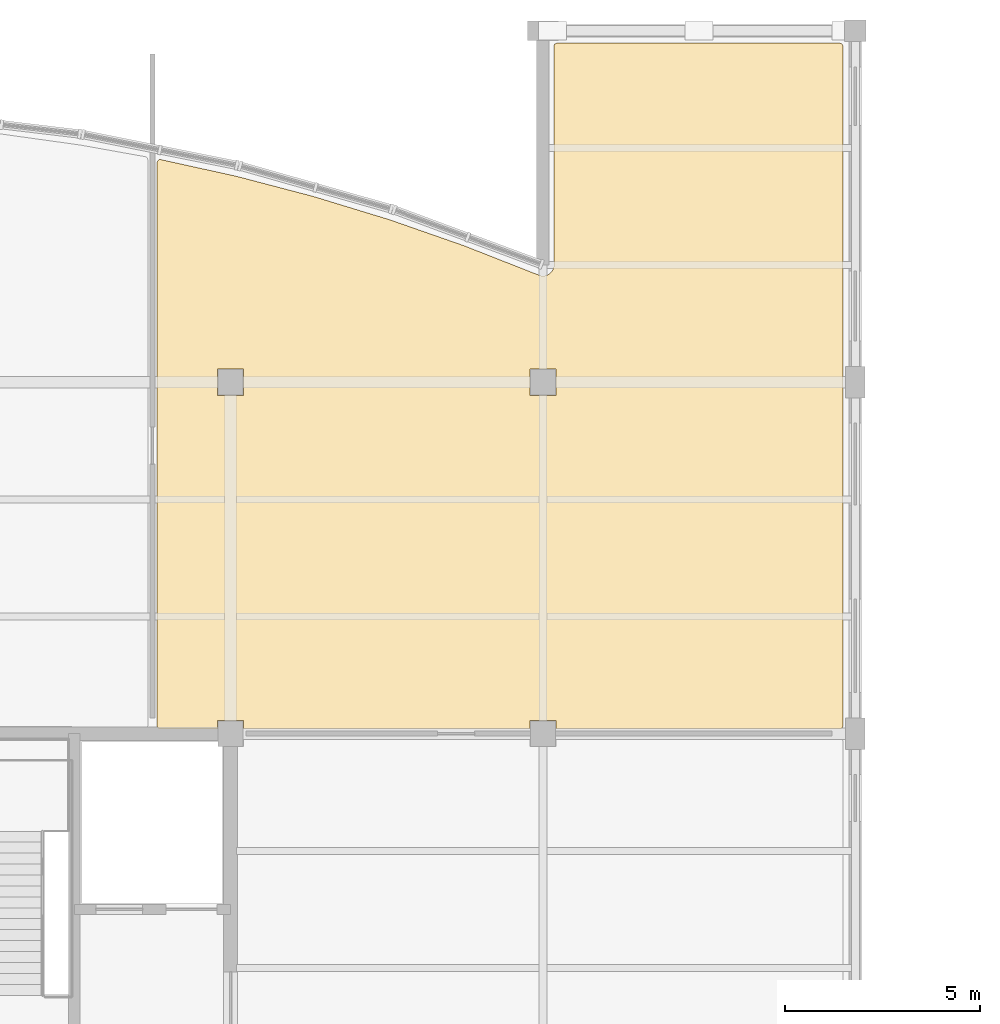
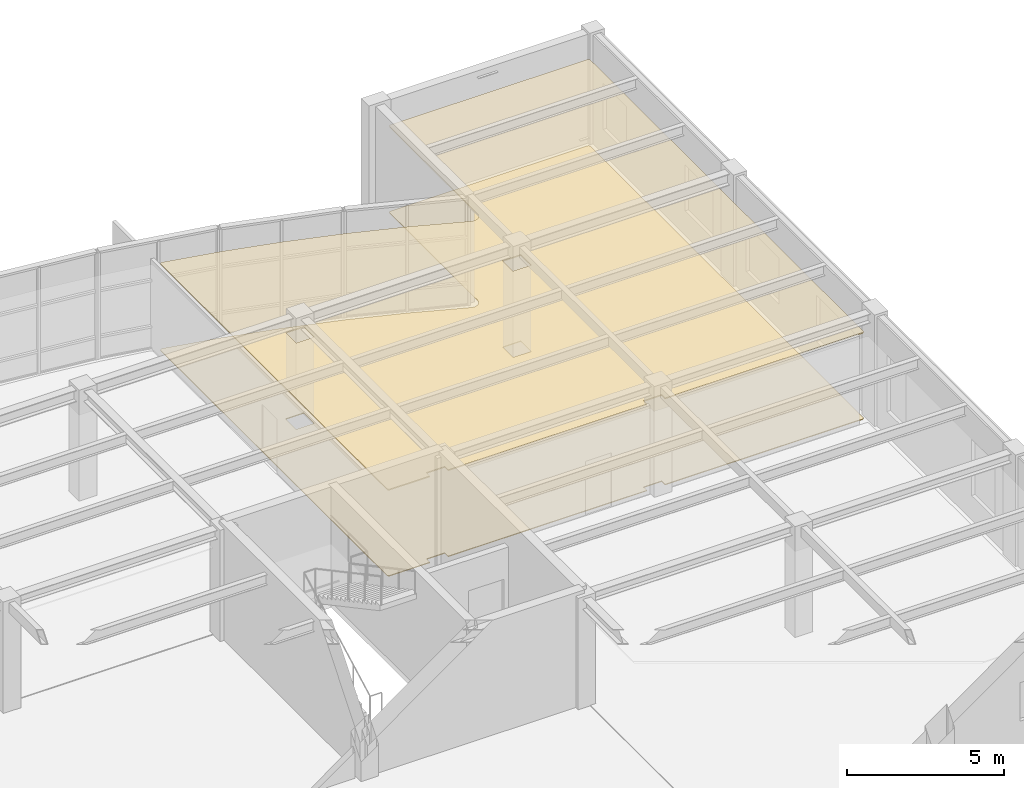
# One storey, part 16 of 16: 2 coverings.
"""IFC4 building model written with IfcOpenShell, lengths in metres."""

from ifc_helpers import new_model, si_unit, direction, frame, origin, place, context, subcontext, project, spatial, polyline, outline, extrude, material, layer, layer_set, type_object, element, save


model = new_model("IFC4")

# Units and contexts
model_context = context("Model", 3, precision=1e-05, world=origin(), true_north=direction((0.0, 1.0)))
body_context = subcontext(model_context, "Body", "Model", "MODEL_VIEW")
ifc_project = project(units=[si_unit("LENGTHUNIT", "METRE"), si_unit("AREAUNIT", "SQUARE_METRE"), si_unit("VOLUMEUNIT", "CUBIC_METRE"), si_unit("PLANEANGLEUNIT", "RADIAN"), si_unit("MASSUNIT", "GRAM", prefix="KILO")], contexts=[model_context])

# Site, building, storey
site_placement = place(None, origin())
site = spatial("IfcSite", under=ifc_project, at=site_placement, CompositionType="ELEMENT")
building_placement = place(site_placement, origin())
building = spatial("IfcBuilding", under=site, at=building_placement, Name="Keelwater Ferry Terminal", CompositionType="ELEMENT")
storey_placement = place(building_placement, frame((0.0, 0.0, 15.0)))
storey = spatial("IfcBuildingStorey", under=building, at=storey_placement, Name="L03", CompositionType="ELEMENT", Elevation=15.0)

# Coverings
ifc_material_1 = material(Name="Perforated acoustic gypsum board ceiling", Category="gypsum")
ifc_layer_1 = layer(ifc_material_1, 0.044921875)
ifc_layer_set_1 = layer_set([ifc_layer_1], Name="Perforated acoustic gypsum board ceiling")
covering_type_1 = type_object("IfcCoveringType", Name="CL-AC Acoustic Baffle Ceiling", PredefinedType="CEILING", material=ifc_layer_set_1)
covering_1_placement = place(storey_placement, frame((0.0, 0.0, 3.35009765625)))
element("IfcCovering", 1, at=covering_1_placement, inside=storey, type_object=covering_type_1, Name="Ferry Operator Dispatch Office Acoustic Ceiling", PredefinedType="CEILING", context=body_context, shape_type="SweptSolid", body=[
    extrude(outline(polyline([(169.993896484375, 120.488037109375), (171.89208984375, 119.741943359375), (171.89208984375, 119.740966796875), (171.89697265625, 119.739013671875), (171.923095703125, 119.73095703125), (171.949951171875, 119.72509765625), (171.97705078125, 119.720947265625), (172.00390625, 119.719970703125), (172.031005859375, 119.721923828125), (172.05810546875, 119.72607421875), (172.083984375, 119.73291015625), (172.110107421875, 119.741943359375), (172.134033203125, 119.75390625), (172.157958984375, 119.76904296875), (172.178955078125, 119.784912109375), (172.198974609375, 119.802978515625), (172.218017578125, 119.823974609375), (172.23388671875, 119.845947265625), (172.248046875, 119.868896484375), (172.259033203125, 119.89404296875), (172.26806640625, 119.9189453125), (172.27490234375, 119.946044921875), (172.279052734375, 119.972900390625), (172.280029296875, 120.0), (172.280029296875, 120.00390625), (172.280029296875, 125.60009765625), (172.280029296875, 125.60791015625), (172.281982421875, 125.615966796875), (172.282958984375, 125.623046875), (172.285888671875, 125.631103515625), (172.2890625, 125.637939453125), (172.29296875, 125.64404296875), (172.298095703125, 125.65087890625), (172.302978515625, 125.656982421875), (172.30908203125, 125.662109375), (172.31591796875, 125.6669921875), (172.322021484375, 125.6708984375), (172.3291015625, 125.674072265625), (172.3369140625, 125.677001953125), (172.343994140625, 125.677978515625), (172.35205078125, 125.679931640625), (172.360107421875, 125.679931640625), (179.60009765625, 125.679931640625), (179.60791015625, 125.679931640625), (179.615966796875, 125.677978515625), (179.623046875, 125.677001953125), (179.631103515625, 125.674072265625), (179.637939453125, 125.6708984375), (179.64404296875, 125.6669921875), (179.65087890625, 125.662109375), (179.656982421875, 125.656982421875), (179.662109375, 125.65087890625), (179.6669921875, 125.64404296875), (179.6708984375, 125.637939453125), (179.674072265625, 125.631103515625), (179.677001953125, 125.623046875), (179.677978515625, 125.615966796875), (179.679931640625, 125.60791015625), (179.679931640625, 125.60009765625), (179.679931640625, 108.199951171875), (179.679931640625, 108.19189453125), (179.677978515625, 108.18408203125), (179.677001953125, 108.177001953125), (179.674072265625, 108.1689453125), (179.6708984375, 108.162109375), (179.6669921875, 108.156005859375), (179.662109375, 108.14892578125), (179.656982421875, 108.14306640625), (179.65087890625, 108.137939453125), (179.64404296875, 108.133056640625), (179.637939453125, 108.12890625), (179.631103515625, 108.1259765625), (179.623046875, 108.123046875), (179.615966796875, 108.1220703125), (179.60791015625, 108.1201171875), (179.60009765625, 108.1201171875), (172.344970703125, 108.1201171875), (172.3369140625, 108.1201171875), (172.3349609375, 108.12109375), (172.3349609375, 108.3349609375), (171.6650390625, 108.3349609375), (171.6650390625, 108.12109375), (171.6630859375, 108.1201171875), (171.655029296875, 108.1201171875), (164.344970703125, 108.1201171875), (164.3369140625, 108.1201171875), (164.3349609375, 108.12109375), (164.3349609375, 108.3349609375), (163.6650390625, 108.3349609375), (163.6650390625, 108.12109375), (163.6630859375, 108.1201171875), (163.655029296875, 108.1201171875), (162.199951171875, 108.1201171875), (162.19189453125, 108.1201171875), (162.18408203125, 108.1220703125), (162.177001953125, 108.123046875), (162.1689453125, 108.1259765625), (162.162109375, 108.12890625), (162.156005859375, 108.133056640625), (162.14892578125, 108.137939453125), (162.14306640625, 108.14306640625), (162.137939453125, 108.14892578125), (162.133056640625, 108.156005859375), (162.12890625, 108.162109375), (162.1259765625, 108.1689453125), (162.123046875, 108.177001953125), (162.1220703125, 108.18408203125), (162.1201171875, 108.19189453125), (162.1201171875, 108.199951171875), (162.1201171875, 122.62109375), (162.1201171875, 122.62890625), (162.1220703125, 122.636962890625), (162.1240234375, 122.64404296875), (162.1259765625, 122.652099609375), (162.1298828125, 122.658935546875), (162.134033203125, 122.666015625), (162.138916015625, 122.672119140625), (162.14404296875, 122.677978515625), (162.14990234375, 122.68310546875), (162.156005859375, 122.68798828125), (162.1630859375, 122.69189453125), (162.169921875, 122.695068359375), (162.177978515625, 122.697998046875), (162.18603515625, 122.699951171875), (162.194091796875, 122.700927734375), (162.200927734375, 122.700927734375), (162.208984375, 122.699951171875), (162.216064453125, 122.698974609375), (164.136962890625, 122.27587890625), (166.112060546875, 121.758056640625), (168.06494140625, 121.162109375), (168.804931640625, 120.904052734375), (169.990966796875, 120.489990234375), (169.993896484375, 120.488037109375)]), holes=[polyline([(163.6650390625, 116.6650390625), (164.3349609375, 116.6650390625), (164.3349609375, 117.3349609375), (163.6650390625, 117.3349609375), (163.6650390625, 116.6650390625)]), polyline([(171.6650390625, 116.6650390625), (172.3349609375, 116.6650390625), (172.3349609375, 117.3349609375), (171.6650390625, 117.3349609375), (171.6650390625, 116.6650390625)])]), origin(), (0.0, 0.0, 1.0), 0.044921875),
])
ifc_material_2 = material(Name="Polished mineral terrazzo tile", Category="stone")
ifc_layer_2 = layer(ifc_material_2, 0.030029296875)
ifc_layer_set_2 = layer_set([ifc_layer_2], Name="Polished mineral terrazzo tile")
covering_type_2 = type_object("IfcCoveringType", Name="FL-TZ Marine Terrazzo Flooring", PredefinedType="FLOORING", material=ifc_layer_set_2)
covering_2_placement = place(storey_placement, origin())
element("IfcCovering", 2, at=covering_2_placement, inside=storey, type_object=covering_type_2, Name="Ferry Operator Dispatch Office Terrazzo Floor", PredefinedType="FLOORING", context=body_context, shape_type="SweptSolid", body=[
    extrude(outline(polyline([(169.993896484375, 120.488037109375), (171.89208984375, 119.741943359375), (171.89208984375, 119.740966796875), (171.89697265625, 119.739013671875), (171.923095703125, 119.73095703125), (171.949951171875, 119.72509765625), (171.97705078125, 119.720947265625), (172.00390625, 119.719970703125), (172.031005859375, 119.721923828125), (172.05810546875, 119.72607421875), (172.083984375, 119.73291015625), (172.110107421875, 119.741943359375), (172.134033203125, 119.75390625), (172.157958984375, 119.76904296875), (172.178955078125, 119.784912109375), (172.198974609375, 119.802978515625), (172.218017578125, 119.823974609375), (172.23388671875, 119.845947265625), (172.248046875, 119.868896484375), (172.259033203125, 119.89404296875), (172.26806640625, 119.9189453125), (172.27490234375, 119.946044921875), (172.279052734375, 119.972900390625), (172.280029296875, 120.0), (172.280029296875, 120.00390625), (172.280029296875, 125.60009765625), (172.280029296875, 125.60791015625), (172.281982421875, 125.615966796875), (172.282958984375, 125.623046875), (172.285888671875, 125.631103515625), (172.2890625, 125.637939453125), (172.29296875, 125.64404296875), (172.298095703125, 125.65087890625), (172.302978515625, 125.656982421875), (172.30908203125, 125.662109375), (172.31591796875, 125.6669921875), (172.322021484375, 125.6708984375), (172.3291015625, 125.674072265625), (172.3369140625, 125.677001953125), (172.343994140625, 125.677978515625), (172.35205078125, 125.679931640625), (172.360107421875, 125.679931640625), (179.60009765625, 125.679931640625), (179.60791015625, 125.679931640625), (179.615966796875, 125.677978515625), (179.623046875, 125.677001953125), (179.631103515625, 125.674072265625), (179.637939453125, 125.6708984375), (179.64404296875, 125.6669921875), (179.65087890625, 125.662109375), (179.656982421875, 125.656982421875), (179.662109375, 125.65087890625), (179.6669921875, 125.64404296875), (179.6708984375, 125.637939453125), (179.674072265625, 125.631103515625), (179.677001953125, 125.623046875), (179.677978515625, 125.615966796875), (179.679931640625, 125.60791015625), (179.679931640625, 125.60009765625), (179.679931640625, 108.199951171875), (179.679931640625, 108.19189453125), (179.677978515625, 108.18408203125), (179.677001953125, 108.177001953125), (179.674072265625, 108.1689453125), (179.6708984375, 108.162109375), (179.6669921875, 108.156005859375), (179.662109375, 108.14892578125), (179.656982421875, 108.14306640625), (179.65087890625, 108.137939453125), (179.64404296875, 108.133056640625), (179.637939453125, 108.12890625), (179.631103515625, 108.1259765625), (179.623046875, 108.123046875), (179.615966796875, 108.1220703125), (179.60791015625, 108.1201171875), (179.60009765625, 108.1201171875), (172.344970703125, 108.1201171875), (172.3369140625, 108.1201171875), (172.3349609375, 108.12109375), (172.3349609375, 108.3349609375), (171.6650390625, 108.3349609375), (171.6650390625, 108.12109375), (171.6630859375, 108.1201171875), (171.655029296875, 108.1201171875), (164.344970703125, 108.1201171875), (164.3369140625, 108.1201171875), (164.3349609375, 108.12109375), (164.3349609375, 108.3349609375), (163.6650390625, 108.3349609375), (163.6650390625, 108.12109375), (163.6630859375, 108.1201171875), (163.655029296875, 108.1201171875), (162.199951171875, 108.1201171875), (162.19189453125, 108.1201171875), (162.18408203125, 108.1220703125), (162.177001953125, 108.123046875), (162.1689453125, 108.1259765625), (162.162109375, 108.12890625), (162.156005859375, 108.133056640625), (162.14892578125, 108.137939453125), (162.14306640625, 108.14306640625), (162.137939453125, 108.14892578125), (162.133056640625, 108.156005859375), (162.12890625, 108.162109375), (162.1259765625, 108.1689453125), (162.123046875, 108.177001953125), (162.1220703125, 108.18408203125), (162.1201171875, 108.19189453125), (162.1201171875, 108.199951171875), (162.1201171875, 122.62109375), (162.1201171875, 122.62890625), (162.1220703125, 122.636962890625), (162.1240234375, 122.64404296875), (162.1259765625, 122.652099609375), (162.1298828125, 122.658935546875), (162.134033203125, 122.666015625), (162.138916015625, 122.672119140625), (162.14404296875, 122.677978515625), (162.14990234375, 122.68310546875), (162.156005859375, 122.68798828125), (162.1630859375, 122.69189453125), (162.169921875, 122.695068359375), (162.177978515625, 122.697998046875), (162.18603515625, 122.699951171875), (162.194091796875, 122.700927734375), (162.200927734375, 122.700927734375), (162.208984375, 122.699951171875), (162.216064453125, 122.698974609375), (164.136962890625, 122.27587890625), (166.112060546875, 121.758056640625), (168.06494140625, 121.162109375), (168.804931640625, 120.904052734375), (169.990966796875, 120.489990234375), (169.993896484375, 120.488037109375)]), holes=[polyline([(163.6650390625, 116.6650390625), (164.3349609375, 116.6650390625), (164.3349609375, 117.3349609375), (163.6650390625, 117.3349609375), (163.6650390625, 116.6650390625)]), polyline([(171.6650390625, 116.6650390625), (172.3349609375, 116.6650390625), (172.3349609375, 117.3349609375), (171.6650390625, 117.3349609375), (171.6650390625, 116.6650390625)])]), origin(), (0.0, 0.0, 1.0), 0.030029296875),
])

save(model, "model.ifc")
